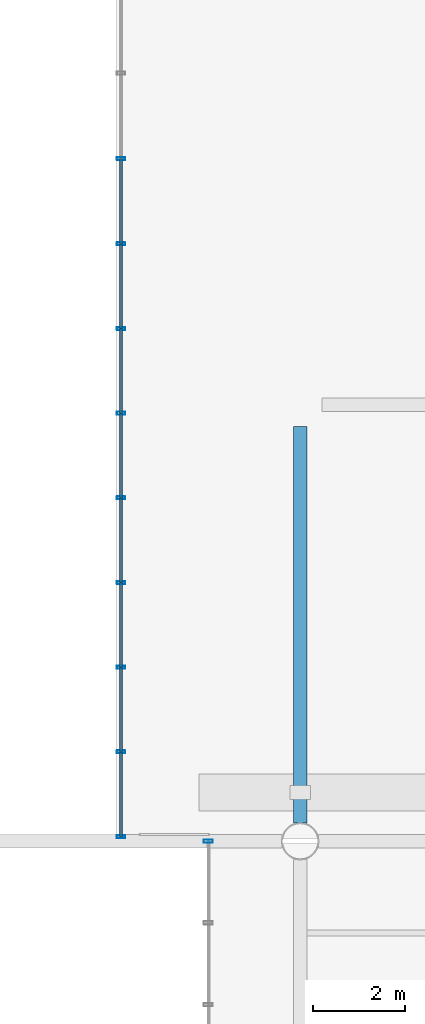
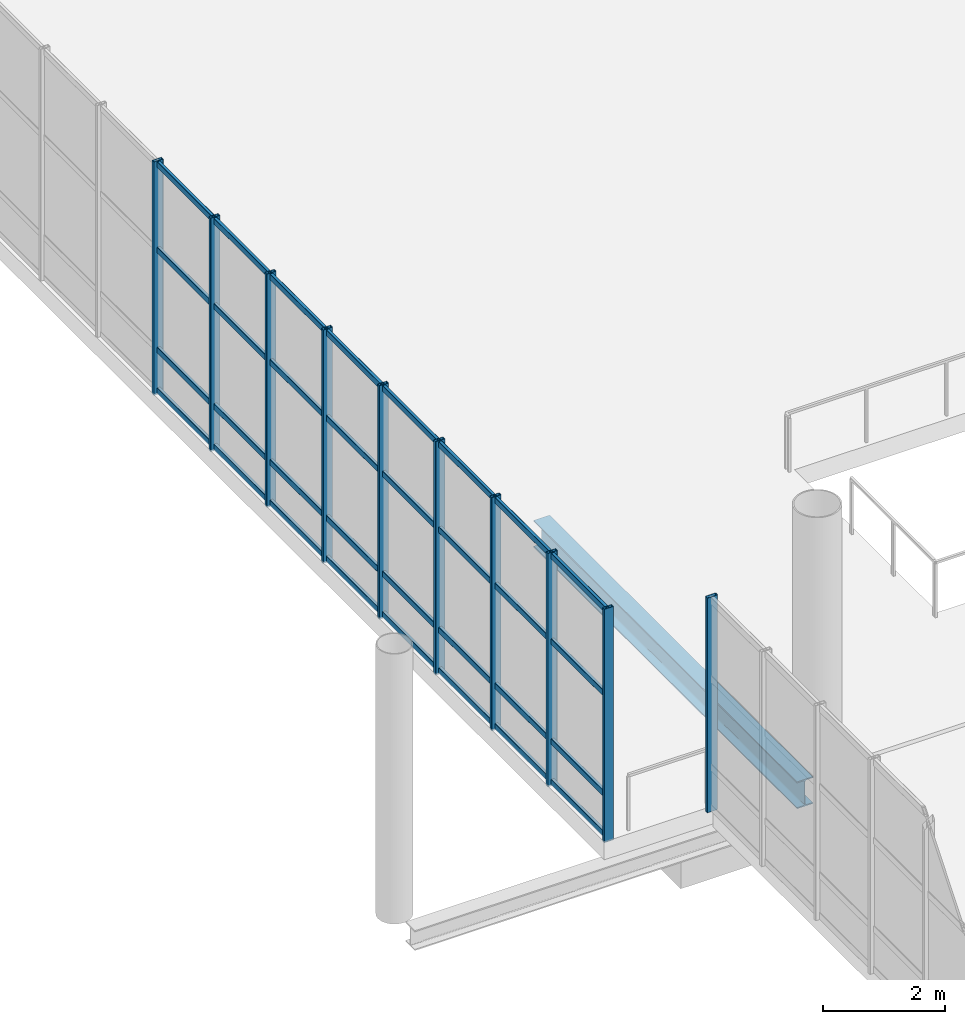
# One storey, part 50 of 176: 42 members, 1 beam, 3 elements without a shape of their own.
"""IFC4 building model written with IfcOpenShell, lengths in metres."""

from ifc_helpers import new_model, si_unit, direction, frame, origin, origin_2d, place, context, subcontext, project, spatial, hollow_rectangle, i_section, extrude, material, layer, layer_set, material_profile, profile_set, type_object, element, aggregate, save


model = new_model("IFC4")

# Units and contexts
model_context = context("Model", 3, precision=1e-05, world=origin(), true_north=direction((0.0, 1.0)))
body_context = subcontext(model_context, "Body", "Model", "MODEL_VIEW")
ifc_project = project(units=[si_unit("LENGTHUNIT", "METRE"), si_unit("AREAUNIT", "SQUARE_METRE"), si_unit("VOLUMEUNIT", "CUBIC_METRE"), si_unit("PLANEANGLEUNIT", "RADIAN"), si_unit("MASSUNIT", "GRAM", prefix="KILO")], contexts=[model_context])

# Site, building, storey
site_placement = place(None, origin())
site = spatial("IfcSite", under=ifc_project, at=site_placement, CompositionType="ELEMENT")
building_placement = place(site_placement, origin())
building = spatial("IfcBuilding", under=site, at=building_placement, Name="Khorjan Park Terminus", CompositionType="ELEMENT")
storey_placement = place(building_placement, frame((0.0, 0.0, 6.0)))
storey = spatial("IfcBuildingStorey", under=building, at=storey_placement, Name="L01", CompositionType="ELEMENT", Elevation=6.0)

# Beam
ifc_material_1 = material(Name="Steel S355", Category="steel")
ifc_material_profile_1 = material_profile(ifc_material_1, i_section(OverallWidth=0.3, OverallDepth=0.54, WebThickness=0.0125, FlangeThickness=0.024, FilletRadius=0.027, at=origin_2d()), Name="HEA 550")
ifc_profile_set_1 = profile_set([ifc_material_profile_1], Name="Steel S355")
beam_type = type_object("IfcBeamType", Name="BM-HEA550", PredefinedType="BEAM", material=ifc_profile_set_1)
beam_placement = place(storey_placement, frame((56.0, 102.4015, -0.63), z_axis=(0.0, 1.0, 0.0), x_axis=(-1.0, 0.0, 0.0)))
element("IfcBeam", 1, at=beam_placement, inside=storey, type_object=beam_type, Name="Primary floor girder SB-A55 (L01)", PredefinedType="BEAM", context=body_context, shape_type="SweptSolid", body=[
    extrude(i_section(OverallWidth=0.3, OverallDepth=0.54, WebThickness=0.0125, FlangeThickness=0.024, FilletRadius=0.027, at=origin_2d()), origin(), (0.0, 0.0, 1.0), 8.6285),
])

# Curtain wall, members
ifc_material_2 = material(Name="Anodized Bronze Aluminium", Category="aluminium")
ifc_layer = layer(ifc_material_2, 0.22)
ifc_layer_set = layer_set([ifc_layer], Name="Anodized Bronze Aluminium")
curtain_wall_type = type_object("IfcCurtainWallType", Name="CW-BRG-D", PredefinedType="NOTDEFINED", material=ifc_layer_set)
curtain_wall_1_placement = place(storey_placement, origin())
curtain_wall_1 = element("IfcCurtainWall", 2, at=curtain_wall_1_placement, inside=storey, type_object=curtain_wall_type, Name="Unitized curtain wall CW-D (CW-BRW-W-1)", PredefinedType="NOTDEFINED")
ifc_material_profile_2 = material_profile(ifc_material_2, hollow_rectangle(XDim=0.065, YDim=0.18, WallThickness=0.004, InnerFilletRadius=0.004, OuterFilletRadius=0.008, at=origin_2d()), Name="ALM 65x180x4")
ifc_profile_set_2 = profile_set([ifc_material_profile_2], Name="Anodized Bronze Aluminium")
member_type_1 = type_object("IfcMemberType", Name="ML-ALM-180", PredefinedType="MULLION", material=ifc_profile_set_2)
member_1_placement = place(storey_placement, frame((52.1, 115.0, -0.035), z_axis=(0.0, 0.0, 1.0), x_axis=(0.0, -1.0, 0.0)))
member_1 = element("IfcMember", 3, at=member_1_placement, type_object=member_type_1, Name="Curtain-wall mullion ML-18 (CW-BRW-W-1-0)", PredefinedType="MULLION", context=body_context, shape_type="SweptSolid", body=[
    extrude(hollow_rectangle(XDim=0.065, YDim=0.18, WallThickness=0.004, InnerFilletRadius=0.004, OuterFilletRadius=0.008, at=origin_2d()), origin(), (0.0, 0.0, 1.0), 4.67),
])
member_2_placement = place(storey_placement, frame((52.1, 113.1571, -0.035), z_axis=(0.0, 0.0, 1.0), x_axis=(0.0, -1.0, 0.0)))
member_2 = element("IfcMember", 4, at=member_2_placement, type_object=member_type_1, Name="Curtain-wall mullion ML-18 (CW-BRW-W-1-1)", PredefinedType="MULLION", context=body_context, shape_type="SweptSolid", body=[
    extrude(hollow_rectangle(XDim=0.065, YDim=0.18, WallThickness=0.004, InnerFilletRadius=0.004, OuterFilletRadius=0.008, at=origin_2d()), origin(), (0.0, 0.0, 1.0), 4.67),
])
member_3_placement = place(storey_placement, frame((52.1, 111.3143, -0.035), z_axis=(0.0, 0.0, 1.0), x_axis=(0.0, -1.0, 0.0)))
member_3 = element("IfcMember", 5, at=member_3_placement, type_object=member_type_1, Name="Curtain-wall mullion ML-18 (CW-BRW-W-1-2)", PredefinedType="MULLION", context=body_context, shape_type="SweptSolid", body=[
    extrude(hollow_rectangle(XDim=0.065, YDim=0.18, WallThickness=0.004, InnerFilletRadius=0.004, OuterFilletRadius=0.008, at=origin_2d()), origin(), (0.0, 0.0, 1.0), 4.67),
])
member_4_placement = place(storey_placement, frame((52.1, 109.4714, -0.035), z_axis=(0.0, 0.0, 1.0), x_axis=(0.0, -1.0, 0.0)))
member_4 = element("IfcMember", 6, at=member_4_placement, type_object=member_type_1, Name="Curtain-wall mullion ML-18 (CW-BRW-W-1-3)", PredefinedType="MULLION", context=body_context, shape_type="SweptSolid", body=[
    extrude(hollow_rectangle(XDim=0.065, YDim=0.18, WallThickness=0.004, InnerFilletRadius=0.004, OuterFilletRadius=0.008, at=origin_2d()), origin(), (0.0, 0.0, 1.0), 4.67),
])
member_5_placement = place(storey_placement, frame((52.1, 107.6286, -0.035), z_axis=(0.0, 0.0, 1.0), x_axis=(0.0, -1.0, 0.0)))
member_5 = element("IfcMember", 7, at=member_5_placement, type_object=member_type_1, Name="Curtain-wall mullion ML-18 (CW-BRW-W-1-4)", PredefinedType="MULLION", context=body_context, shape_type="SweptSolid", body=[
    extrude(hollow_rectangle(XDim=0.065, YDim=0.18, WallThickness=0.004, InnerFilletRadius=0.004, OuterFilletRadius=0.008, at=origin_2d()), origin(), (0.0, 0.0, 1.0), 4.67),
])
member_6_placement = place(storey_placement, frame((52.1, 105.7857, -0.035), z_axis=(0.0, 0.0, 1.0), x_axis=(0.0, -1.0, 0.0)))
member_6 = element("IfcMember", 8, at=member_6_placement, type_object=member_type_1, Name="Curtain-wall mullion ML-18 (CW-BRW-W-1-5)", PredefinedType="MULLION", context=body_context, shape_type="SweptSolid", body=[
    extrude(hollow_rectangle(XDim=0.065, YDim=0.18, WallThickness=0.004, InnerFilletRadius=0.004, OuterFilletRadius=0.008, at=origin_2d()), origin(), (0.0, 0.0, 1.0), 4.67),
])
member_7_placement = place(storey_placement, frame((52.1, 103.9429, -0.035), z_axis=(0.0, 0.0, 1.0), x_axis=(0.0, -1.0, 0.0)))
member_7 = element("IfcMember", 9, at=member_7_placement, type_object=member_type_1, Name="Curtain-wall mullion ML-18 (CW-BRW-W-1-6)", PredefinedType="MULLION", context=body_context, shape_type="SweptSolid", body=[
    extrude(hollow_rectangle(XDim=0.065, YDim=0.18, WallThickness=0.004, InnerFilletRadius=0.004, OuterFilletRadius=0.008, at=origin_2d()), origin(), (0.0, 0.0, 1.0), 4.67),
])
member_8_placement = place(storey_placement, frame((52.1, 102.1, -0.035), z_axis=(0.0, 0.0, 1.0), x_axis=(0.0, -1.0, 0.0)))
member_8 = element("IfcMember", 10, at=member_8_placement, type_object=member_type_1, Name="Curtain-wall mullion ML-18 (CW-BRW-W-1-7)", PredefinedType="MULLION", context=body_context, shape_type="SweptSolid", body=[
    extrude(hollow_rectangle(XDim=0.065, YDim=0.18, WallThickness=0.004, InnerFilletRadius=0.004, OuterFilletRadius=0.008, at=origin_2d()), origin(), (0.0, 0.0, 1.0), 4.67),
])

# Curtain wall, member
curtain_wall_2_placement = place(storey_placement, origin())
curtain_wall_2 = element("IfcCurtainWall", 11, at=curtain_wall_2_placement, inside=storey, type_object=curtain_wall_type, Name="Unitized curtain wall CW-D (CW-BRW-W-2)", PredefinedType="NOTDEFINED")
member_9_placement = place(storey_placement, frame((52.1, 116.8571, -0.035), z_axis=(0.0, 0.0, 1.0), x_axis=(0.0, -1.0, 0.0)))
member_9 = element("IfcMember", 12, at=member_9_placement, type_object=member_type_1, Name="Curtain-wall mullion ML-18 (CW-BRW-W-2-6)", PredefinedType="MULLION", context=body_context, shape_type="SweptSolid", body=[
    extrude(hollow_rectangle(XDim=0.065, YDim=0.18, WallThickness=0.004, InnerFilletRadius=0.004, OuterFilletRadius=0.008, at=origin_2d()), origin(), (0.0, 0.0, 1.0), 4.67),
])

curtain_wall_3_placement = place(storey_placement, origin())
curtain_wall_3 = element("IfcCurtainWall", 13, at=curtain_wall_3_placement, inside=storey, type_object=curtain_wall_type, Name="Unitized curtain wall CW-D (CW-NKW-W-L01)", PredefinedType="NOTDEFINED")
ifc_material_profile_3 = material_profile(ifc_material_2, hollow_rectangle(XDim=0.07, YDim=0.2, WallThickness=0.005, InnerFilletRadius=0.005, OuterFilletRadius=0.01, at=origin_2d()), Name="ALM 70x200x5")
ifc_profile_set_3 = profile_set([ifc_material_profile_3], Name="Anodized Bronze Aluminium")
member_type_2 = type_object("IfcMemberType", Name="ML-ALM-200", PredefinedType="MULLION", material=ifc_profile_set_3)
member_10_placement = place(storey_placement, frame((54.0, 102.0, -0.035), z_axis=(0.0, 0.0, 1.0), x_axis=(0.0, -1.0, 0.0)))
member_10 = element("IfcMember", 14, at=member_10_placement, type_object=member_type_2, Name="Curtain-wall mullion ML-20 (CW-NKW-W-L01-0)", PredefinedType="MULLION", context=body_context, shape_type="SweptSolid", body=[
    extrude(hollow_rectangle(XDim=0.07, YDim=0.2, WallThickness=0.005, InnerFilletRadius=0.005, OuterFilletRadius=0.01, at=origin_2d()), origin(), (0.0, 0.0, 1.0), 4.295),
])
aggregate(curtain_wall_3, [member_10])

# Member
ifc_material_profile_4 = material_profile(ifc_material_2, hollow_rectangle(XDim=0.06, YDim=0.12, WallThickness=0.004, InnerFilletRadius=0.004, OuterFilletRadius=0.008, at=origin_2d()), Name="ALT 60x120x4")
ifc_profile_set_4 = profile_set([ifc_material_profile_4], Name="Anodized Bronze Aluminium")
member_type_3 = type_object("IfcMemberType", Name="TR-ALT-120", PredefinedType="USERDEFINED", material=ifc_profile_set_4)
member_11_placement = place(storey_placement, frame((52.1, 115.0, 0.04), z_axis=(0.0, -1.0, 0.0), x_axis=(1.0, 0.0, 0.0)))
member_11 = element("IfcMember", 15, at=member_11_placement, type_object=member_type_3, Name="Curtain-wall transom TR-12 (CW-BRW-W-1-0-1)", ObjectType="TRANSOM", PredefinedType="USERDEFINED", context=body_context, shape_type="SweptSolid", body=[
    extrude(hollow_rectangle(XDim=0.06, YDim=0.12, WallThickness=0.004, InnerFilletRadius=0.004, OuterFilletRadius=0.008, at=origin_2d()), origin(), (0.0, 0.0, 1.0), 1.8429),
])

member_12_placement = place(storey_placement, frame((52.1, 115.0, 0.85), z_axis=(0.0, -1.0, 0.0), x_axis=(1.0, 0.0, 0.0)))
member_12 = element("IfcMember", 16, at=member_12_placement, type_object=member_type_3, Name="Curtain-wall transom TR-12 (CW-BRW-W-1-0-2)", ObjectType="TRANSOM", PredefinedType="USERDEFINED", context=body_context, shape_type="SweptSolid", body=[
    extrude(hollow_rectangle(XDim=0.06, YDim=0.12, WallThickness=0.004, InnerFilletRadius=0.004, OuterFilletRadius=0.008, at=origin_2d()), origin(), (0.0, 0.0, 1.0), 1.8429),
])

member_13_placement = place(storey_placement, frame((52.1, 115.0, 2.852), z_axis=(0.0, -1.0, 0.0), x_axis=(1.0, 0.0, 0.0)))
member_13 = element("IfcMember", 17, at=member_13_placement, type_object=member_type_3, Name="Curtain-wall transom TR-12 (CW-BRW-W-1-0-3)", ObjectType="TRANSOM", PredefinedType="USERDEFINED", context=body_context, shape_type="SweptSolid", body=[
    extrude(hollow_rectangle(XDim=0.06, YDim=0.12, WallThickness=0.004, InnerFilletRadius=0.004, OuterFilletRadius=0.008, at=origin_2d()), origin(), (0.0, 0.0, 1.0), 1.8429),
])

member_14_placement = place(storey_placement, frame((52.1, 115.0, 4.56), z_axis=(0.0, -1.0, 0.0), x_axis=(1.0, 0.0, 0.0)))
member_14 = element("IfcMember", 18, at=member_14_placement, type_object=member_type_3, Name="Curtain-wall transom TR-12 (CW-BRW-W-1-0-4)", ObjectType="TRANSOM", PredefinedType="USERDEFINED", context=body_context, shape_type="SweptSolid", body=[
    extrude(hollow_rectangle(XDim=0.06, YDim=0.12, WallThickness=0.004, InnerFilletRadius=0.004, OuterFilletRadius=0.008, at=origin_2d()), origin(), (0.0, 0.0, 1.0), 1.8429),
])

member_15_placement = place(storey_placement, frame((52.1, 113.1571, 0.04), z_axis=(0.0, -1.0, 0.0), x_axis=(1.0, 0.0, 0.0)))
member_15 = element("IfcMember", 19, at=member_15_placement, type_object=member_type_3, Name="Curtain-wall transom TR-12 (CW-BRW-W-1-1-1)", ObjectType="TRANSOM", PredefinedType="USERDEFINED", context=body_context, shape_type="SweptSolid", body=[
    extrude(hollow_rectangle(XDim=0.06, YDim=0.12, WallThickness=0.004, InnerFilletRadius=0.004, OuterFilletRadius=0.008, at=origin_2d()), origin(), (0.0, 0.0, 1.0), 1.8428),
])

member_16_placement = place(storey_placement, frame((52.1, 113.1571, 0.85), z_axis=(0.0, -1.0, 0.0), x_axis=(1.0, 0.0, 0.0)))
member_16 = element("IfcMember", 20, at=member_16_placement, type_object=member_type_3, Name="Curtain-wall transom TR-12 (CW-BRW-W-1-1-2)", ObjectType="TRANSOM", PredefinedType="USERDEFINED", context=body_context, shape_type="SweptSolid", body=[
    extrude(hollow_rectangle(XDim=0.06, YDim=0.12, WallThickness=0.004, InnerFilletRadius=0.004, OuterFilletRadius=0.008, at=origin_2d()), origin(), (0.0, 0.0, 1.0), 1.8428),
])

member_17_placement = place(storey_placement, frame((52.1, 113.1571, 2.852), z_axis=(0.0, -1.0, 0.0), x_axis=(1.0, 0.0, 0.0)))
member_17 = element("IfcMember", 21, at=member_17_placement, type_object=member_type_3, Name="Curtain-wall transom TR-12 (CW-BRW-W-1-1-3)", ObjectType="TRANSOM", PredefinedType="USERDEFINED", context=body_context, shape_type="SweptSolid", body=[
    extrude(hollow_rectangle(XDim=0.06, YDim=0.12, WallThickness=0.004, InnerFilletRadius=0.004, OuterFilletRadius=0.008, at=origin_2d()), origin(), (0.0, 0.0, 1.0), 1.8428),
])

member_18_placement = place(storey_placement, frame((52.1, 113.1571, 4.56), z_axis=(0.0, -1.0, 0.0), x_axis=(1.0, 0.0, 0.0)))
member_18 = element("IfcMember", 22, at=member_18_placement, type_object=member_type_3, Name="Curtain-wall transom TR-12 (CW-BRW-W-1-1-4)", ObjectType="TRANSOM", PredefinedType="USERDEFINED", context=body_context, shape_type="SweptSolid", body=[
    extrude(hollow_rectangle(XDim=0.06, YDim=0.12, WallThickness=0.004, InnerFilletRadius=0.004, OuterFilletRadius=0.008, at=origin_2d()), origin(), (0.0, 0.0, 1.0), 1.8428),
])

member_19_placement = place(storey_placement, frame((52.1, 111.3143, 0.04), z_axis=(0.0, -1.0, 0.0), x_axis=(1.0, 0.0, 0.0)))
member_19 = element("IfcMember", 23, at=member_19_placement, type_object=member_type_3, Name="Curtain-wall transom TR-12 (CW-BRW-W-1-2-1)", ObjectType="TRANSOM", PredefinedType="USERDEFINED", context=body_context, shape_type="SweptSolid", body=[
    extrude(hollow_rectangle(XDim=0.06, YDim=0.12, WallThickness=0.004, InnerFilletRadius=0.004, OuterFilletRadius=0.008, at=origin_2d()), origin(), (0.0, 0.0, 1.0), 1.8429),
])

member_20_placement = place(storey_placement, frame((52.1, 111.3143, 0.85), z_axis=(0.0, -1.0, 0.0), x_axis=(1.0, 0.0, 0.0)))
member_20 = element("IfcMember", 24, at=member_20_placement, type_object=member_type_3, Name="Curtain-wall transom TR-12 (CW-BRW-W-1-2-2)", ObjectType="TRANSOM", PredefinedType="USERDEFINED", context=body_context, shape_type="SweptSolid", body=[
    extrude(hollow_rectangle(XDim=0.06, YDim=0.12, WallThickness=0.004, InnerFilletRadius=0.004, OuterFilletRadius=0.008, at=origin_2d()), origin(), (0.0, 0.0, 1.0), 1.8429),
])

member_21_placement = place(storey_placement, frame((52.1, 111.3143, 2.852), z_axis=(0.0, -1.0, 0.0), x_axis=(1.0, 0.0, 0.0)))
member_21 = element("IfcMember", 25, at=member_21_placement, type_object=member_type_3, Name="Curtain-wall transom TR-12 (CW-BRW-W-1-2-3)", ObjectType="TRANSOM", PredefinedType="USERDEFINED", context=body_context, shape_type="SweptSolid", body=[
    extrude(hollow_rectangle(XDim=0.06, YDim=0.12, WallThickness=0.004, InnerFilletRadius=0.004, OuterFilletRadius=0.008, at=origin_2d()), origin(), (0.0, 0.0, 1.0), 1.8429),
])

member_22_placement = place(storey_placement, frame((52.1, 111.3143, 4.56), z_axis=(0.0, -1.0, 0.0), x_axis=(1.0, 0.0, 0.0)))
member_22 = element("IfcMember", 26, at=member_22_placement, type_object=member_type_3, Name="Curtain-wall transom TR-12 (CW-BRW-W-1-2-4)", ObjectType="TRANSOM", PredefinedType="USERDEFINED", context=body_context, shape_type="SweptSolid", body=[
    extrude(hollow_rectangle(XDim=0.06, YDim=0.12, WallThickness=0.004, InnerFilletRadius=0.004, OuterFilletRadius=0.008, at=origin_2d()), origin(), (0.0, 0.0, 1.0), 1.8429),
])

member_23_placement = place(storey_placement, frame((52.1, 109.4714, 0.04), z_axis=(0.0, -1.0, 0.0), x_axis=(1.0, 0.0, 0.0)))
member_23 = element("IfcMember", 27, at=member_23_placement, type_object=member_type_3, Name="Curtain-wall transom TR-12 (CW-BRW-W-1-3-1)", ObjectType="TRANSOM", PredefinedType="USERDEFINED", context=body_context, shape_type="SweptSolid", body=[
    extrude(hollow_rectangle(XDim=0.06, YDim=0.12, WallThickness=0.004, InnerFilletRadius=0.004, OuterFilletRadius=0.008, at=origin_2d()), origin(), (0.0, 0.0, 1.0), 1.8428),
])

member_24_placement = place(storey_placement, frame((52.1, 109.4714, 0.85), z_axis=(0.0, -1.0, 0.0), x_axis=(1.0, 0.0, 0.0)))
member_24 = element("IfcMember", 28, at=member_24_placement, type_object=member_type_3, Name="Curtain-wall transom TR-12 (CW-BRW-W-1-3-2)", ObjectType="TRANSOM", PredefinedType="USERDEFINED", context=body_context, shape_type="SweptSolid", body=[
    extrude(hollow_rectangle(XDim=0.06, YDim=0.12, WallThickness=0.004, InnerFilletRadius=0.004, OuterFilletRadius=0.008, at=origin_2d()), origin(), (0.0, 0.0, 1.0), 1.8428),
])

member_25_placement = place(storey_placement, frame((52.1, 109.4714, 2.852), z_axis=(0.0, -1.0, 0.0), x_axis=(1.0, 0.0, 0.0)))
member_25 = element("IfcMember", 29, at=member_25_placement, type_object=member_type_3, Name="Curtain-wall transom TR-12 (CW-BRW-W-1-3-3)", ObjectType="TRANSOM", PredefinedType="USERDEFINED", context=body_context, shape_type="SweptSolid", body=[
    extrude(hollow_rectangle(XDim=0.06, YDim=0.12, WallThickness=0.004, InnerFilletRadius=0.004, OuterFilletRadius=0.008, at=origin_2d()), origin(), (0.0, 0.0, 1.0), 1.8428),
])

member_26_placement = place(storey_placement, frame((52.1, 109.4714, 4.56), z_axis=(0.0, -1.0, 0.0), x_axis=(1.0, 0.0, 0.0)))
member_26 = element("IfcMember", 30, at=member_26_placement, type_object=member_type_3, Name="Curtain-wall transom TR-12 (CW-BRW-W-1-3-4)", ObjectType="TRANSOM", PredefinedType="USERDEFINED", context=body_context, shape_type="SweptSolid", body=[
    extrude(hollow_rectangle(XDim=0.06, YDim=0.12, WallThickness=0.004, InnerFilletRadius=0.004, OuterFilletRadius=0.008, at=origin_2d()), origin(), (0.0, 0.0, 1.0), 1.8428),
])

member_27_placement = place(storey_placement, frame((52.1, 107.6286, 0.04), z_axis=(0.0, -1.0, 0.0), x_axis=(1.0, 0.0, 0.0)))
member_27 = element("IfcMember", 31, at=member_27_placement, type_object=member_type_3, Name="Curtain-wall transom TR-12 (CW-BRW-W-1-4-1)", ObjectType="TRANSOM", PredefinedType="USERDEFINED", context=body_context, shape_type="SweptSolid", body=[
    extrude(hollow_rectangle(XDim=0.06, YDim=0.12, WallThickness=0.004, InnerFilletRadius=0.004, OuterFilletRadius=0.008, at=origin_2d()), origin(), (0.0, 0.0, 1.0), 1.8429),
])

member_28_placement = place(storey_placement, frame((52.1, 107.6286, 0.85), z_axis=(0.0, -1.0, 0.0), x_axis=(1.0, 0.0, 0.0)))
member_28 = element("IfcMember", 32, at=member_28_placement, type_object=member_type_3, Name="Curtain-wall transom TR-12 (CW-BRW-W-1-4-2)", ObjectType="TRANSOM", PredefinedType="USERDEFINED", context=body_context, shape_type="SweptSolid", body=[
    extrude(hollow_rectangle(XDim=0.06, YDim=0.12, WallThickness=0.004, InnerFilletRadius=0.004, OuterFilletRadius=0.008, at=origin_2d()), origin(), (0.0, 0.0, 1.0), 1.8429),
])

member_29_placement = place(storey_placement, frame((52.1, 107.6286, 2.852), z_axis=(0.0, -1.0, 0.0), x_axis=(1.0, 0.0, 0.0)))
member_29 = element("IfcMember", 33, at=member_29_placement, type_object=member_type_3, Name="Curtain-wall transom TR-12 (CW-BRW-W-1-4-3)", ObjectType="TRANSOM", PredefinedType="USERDEFINED", context=body_context, shape_type="SweptSolid", body=[
    extrude(hollow_rectangle(XDim=0.06, YDim=0.12, WallThickness=0.004, InnerFilletRadius=0.004, OuterFilletRadius=0.008, at=origin_2d()), origin(), (0.0, 0.0, 1.0), 1.8429),
])

member_30_placement = place(storey_placement, frame((52.1, 107.6286, 4.56), z_axis=(0.0, -1.0, 0.0), x_axis=(1.0, 0.0, 0.0)))
member_30 = element("IfcMember", 34, at=member_30_placement, type_object=member_type_3, Name="Curtain-wall transom TR-12 (CW-BRW-W-1-4-4)", ObjectType="TRANSOM", PredefinedType="USERDEFINED", context=body_context, shape_type="SweptSolid", body=[
    extrude(hollow_rectangle(XDim=0.06, YDim=0.12, WallThickness=0.004, InnerFilletRadius=0.004, OuterFilletRadius=0.008, at=origin_2d()), origin(), (0.0, 0.0, 1.0), 1.8429),
])

member_31_placement = place(storey_placement, frame((52.1, 105.7857, 0.04), z_axis=(0.0, -1.0, 0.0), x_axis=(1.0, 0.0, 0.0)))
member_31 = element("IfcMember", 35, at=member_31_placement, type_object=member_type_3, Name="Curtain-wall transom TR-12 (CW-BRW-W-1-5-1)", ObjectType="TRANSOM", PredefinedType="USERDEFINED", context=body_context, shape_type="SweptSolid", body=[
    extrude(hollow_rectangle(XDim=0.06, YDim=0.12, WallThickness=0.004, InnerFilletRadius=0.004, OuterFilletRadius=0.008, at=origin_2d()), origin(), (0.0, 0.0, 1.0), 1.8428),
])

member_32_placement = place(storey_placement, frame((52.1, 105.7857, 0.85), z_axis=(0.0, -1.0, 0.0), x_axis=(1.0, 0.0, 0.0)))
member_32 = element("IfcMember", 36, at=member_32_placement, type_object=member_type_3, Name="Curtain-wall transom TR-12 (CW-BRW-W-1-5-2)", ObjectType="TRANSOM", PredefinedType="USERDEFINED", context=body_context, shape_type="SweptSolid", body=[
    extrude(hollow_rectangle(XDim=0.06, YDim=0.12, WallThickness=0.004, InnerFilletRadius=0.004, OuterFilletRadius=0.008, at=origin_2d()), origin(), (0.0, 0.0, 1.0), 1.8428),
])

member_33_placement = place(storey_placement, frame((52.1, 105.7857, 2.852), z_axis=(0.0, -1.0, 0.0), x_axis=(1.0, 0.0, 0.0)))
member_33 = element("IfcMember", 37, at=member_33_placement, type_object=member_type_3, Name="Curtain-wall transom TR-12 (CW-BRW-W-1-5-3)", ObjectType="TRANSOM", PredefinedType="USERDEFINED", context=body_context, shape_type="SweptSolid", body=[
    extrude(hollow_rectangle(XDim=0.06, YDim=0.12, WallThickness=0.004, InnerFilletRadius=0.004, OuterFilletRadius=0.008, at=origin_2d()), origin(), (0.0, 0.0, 1.0), 1.8428),
])

member_34_placement = place(storey_placement, frame((52.1, 105.7857, 4.56), z_axis=(0.0, -1.0, 0.0), x_axis=(1.0, 0.0, 0.0)))
member_34 = element("IfcMember", 38, at=member_34_placement, type_object=member_type_3, Name="Curtain-wall transom TR-12 (CW-BRW-W-1-5-4)", ObjectType="TRANSOM", PredefinedType="USERDEFINED", context=body_context, shape_type="SweptSolid", body=[
    extrude(hollow_rectangle(XDim=0.06, YDim=0.12, WallThickness=0.004, InnerFilletRadius=0.004, OuterFilletRadius=0.008, at=origin_2d()), origin(), (0.0, 0.0, 1.0), 1.8428),
])

member_35_placement = place(storey_placement, frame((52.1, 103.9429, 0.04), z_axis=(0.0, -1.0, 0.0), x_axis=(1.0, 0.0, 0.0)))
member_35 = element("IfcMember", 39, at=member_35_placement, type_object=member_type_3, Name="Curtain-wall transom TR-12 (CW-BRW-W-1-6-1)", ObjectType="TRANSOM", PredefinedType="USERDEFINED", context=body_context, shape_type="SweptSolid", body=[
    extrude(hollow_rectangle(XDim=0.06, YDim=0.12, WallThickness=0.004, InnerFilletRadius=0.004, OuterFilletRadius=0.008, at=origin_2d()), origin(), (0.0, 0.0, 1.0), 1.8429),
])

member_36_placement = place(storey_placement, frame((52.1, 103.9429, 0.85), z_axis=(0.0, -1.0, 0.0), x_axis=(1.0, 0.0, 0.0)))
member_36 = element("IfcMember", 40, at=member_36_placement, type_object=member_type_3, Name="Curtain-wall transom TR-12 (CW-BRW-W-1-6-2)", ObjectType="TRANSOM", PredefinedType="USERDEFINED", context=body_context, shape_type="SweptSolid", body=[
    extrude(hollow_rectangle(XDim=0.06, YDim=0.12, WallThickness=0.004, InnerFilletRadius=0.004, OuterFilletRadius=0.008, at=origin_2d()), origin(), (0.0, 0.0, 1.0), 1.8429),
])

member_37_placement = place(storey_placement, frame((52.1, 103.9429, 2.852), z_axis=(0.0, -1.0, 0.0), x_axis=(1.0, 0.0, 0.0)))
member_37 = element("IfcMember", 41, at=member_37_placement, type_object=member_type_3, Name="Curtain-wall transom TR-12 (CW-BRW-W-1-6-3)", ObjectType="TRANSOM", PredefinedType="USERDEFINED", context=body_context, shape_type="SweptSolid", body=[
    extrude(hollow_rectangle(XDim=0.06, YDim=0.12, WallThickness=0.004, InnerFilletRadius=0.004, OuterFilletRadius=0.008, at=origin_2d()), origin(), (0.0, 0.0, 1.0), 1.8429),
])

member_38_placement = place(storey_placement, frame((52.1, 103.9429, 4.56), z_axis=(0.0, -1.0, 0.0), x_axis=(1.0, 0.0, 0.0)))
member_38 = element("IfcMember", 42, at=member_38_placement, type_object=member_type_3, Name="Curtain-wall transom TR-12 (CW-BRW-W-1-6-4)", ObjectType="TRANSOM", PredefinedType="USERDEFINED", context=body_context, shape_type="SweptSolid", body=[
    extrude(hollow_rectangle(XDim=0.06, YDim=0.12, WallThickness=0.004, InnerFilletRadius=0.004, OuterFilletRadius=0.008, at=origin_2d()), origin(), (0.0, 0.0, 1.0), 1.8429),
])

aggregate(curtain_wall_1, [member_1, member_2, member_3, member_4, member_5, member_6, member_7, member_8, member_11, member_12, member_13, member_14, member_15, member_16, member_17, member_18, member_19, member_20, member_21, member_22, member_23, member_24, member_25, member_26, member_27, member_28, member_29, member_30, member_31, member_32, member_33, member_34, member_35, member_36, member_37, member_38])

member_39_placement = place(storey_placement, frame((52.1, 116.8571, 0.04), z_axis=(0.0, -1.0, 0.0), x_axis=(1.0, 0.0, 0.0)))
member_39 = element("IfcMember", 43, at=member_39_placement, type_object=member_type_3, Name="Curtain-wall transom TR-12 (CW-BRW-W-2-6-1)", ObjectType="TRANSOM", PredefinedType="USERDEFINED", context=body_context, shape_type="SweptSolid", body=[
    extrude(hollow_rectangle(XDim=0.06, YDim=0.12, WallThickness=0.004, InnerFilletRadius=0.004, OuterFilletRadius=0.008, at=origin_2d()), origin(), (0.0, 0.0, 1.0), 1.8571),
])

member_40_placement = place(storey_placement, frame((52.1, 116.8571, 0.85), z_axis=(0.0, -1.0, 0.0), x_axis=(1.0, 0.0, 0.0)))
member_40 = element("IfcMember", 44, at=member_40_placement, type_object=member_type_3, Name="Curtain-wall transom TR-12 (CW-BRW-W-2-6-2)", ObjectType="TRANSOM", PredefinedType="USERDEFINED", context=body_context, shape_type="SweptSolid", body=[
    extrude(hollow_rectangle(XDim=0.06, YDim=0.12, WallThickness=0.004, InnerFilletRadius=0.004, OuterFilletRadius=0.008, at=origin_2d()), origin(), (0.0, 0.0, 1.0), 1.8571),
])

member_41_placement = place(storey_placement, frame((52.1, 116.8571, 2.852), z_axis=(0.0, -1.0, 0.0), x_axis=(1.0, 0.0, 0.0)))
member_41 = element("IfcMember", 45, at=member_41_placement, type_object=member_type_3, Name="Curtain-wall transom TR-12 (CW-BRW-W-2-6-3)", ObjectType="TRANSOM", PredefinedType="USERDEFINED", context=body_context, shape_type="SweptSolid", body=[
    extrude(hollow_rectangle(XDim=0.06, YDim=0.12, WallThickness=0.004, InnerFilletRadius=0.004, OuterFilletRadius=0.008, at=origin_2d()), origin(), (0.0, 0.0, 1.0), 1.8571),
])

member_42_placement = place(storey_placement, frame((52.1, 116.8571, 4.56), z_axis=(0.0, -1.0, 0.0), x_axis=(1.0, 0.0, 0.0)))
member_42 = element("IfcMember", 46, at=member_42_placement, type_object=member_type_3, Name="Curtain-wall transom TR-12 (CW-BRW-W-2-6-4)", ObjectType="TRANSOM", PredefinedType="USERDEFINED", context=body_context, shape_type="SweptSolid", body=[
    extrude(hollow_rectangle(XDim=0.06, YDim=0.12, WallThickness=0.004, InnerFilletRadius=0.004, OuterFilletRadius=0.008, at=origin_2d()), origin(), (0.0, 0.0, 1.0), 1.8571),
])

aggregate(curtain_wall_2, [member_9, member_39, member_40, member_41, member_42])

save(model, "model.ifc")
